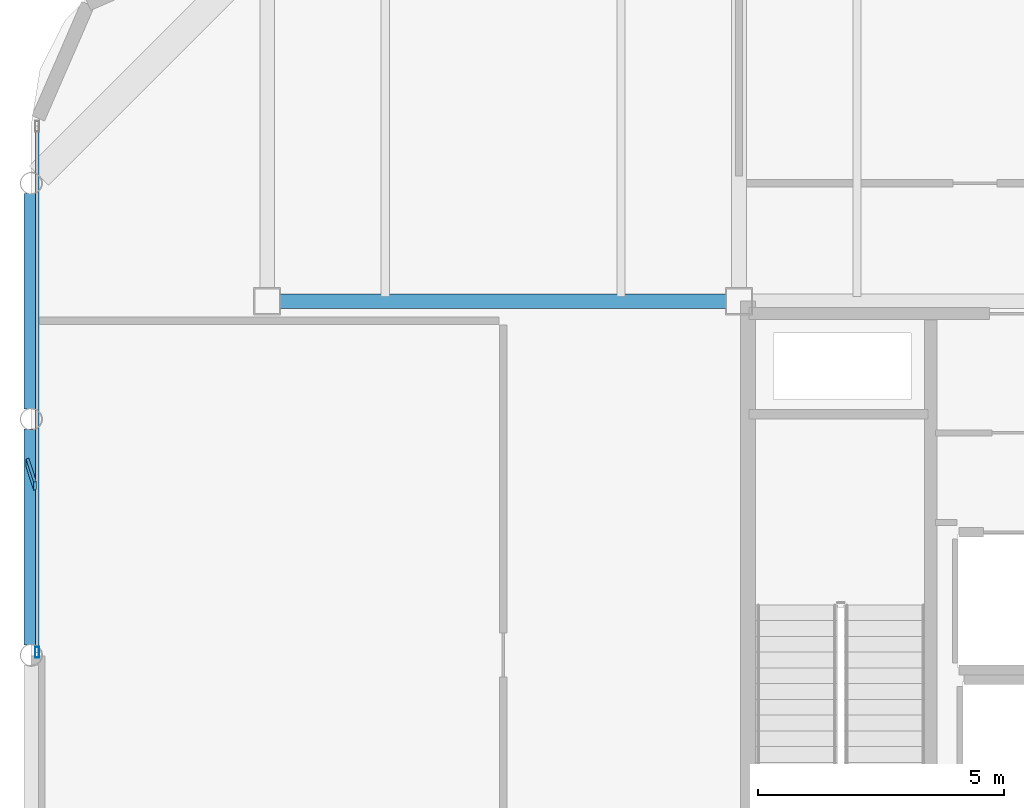
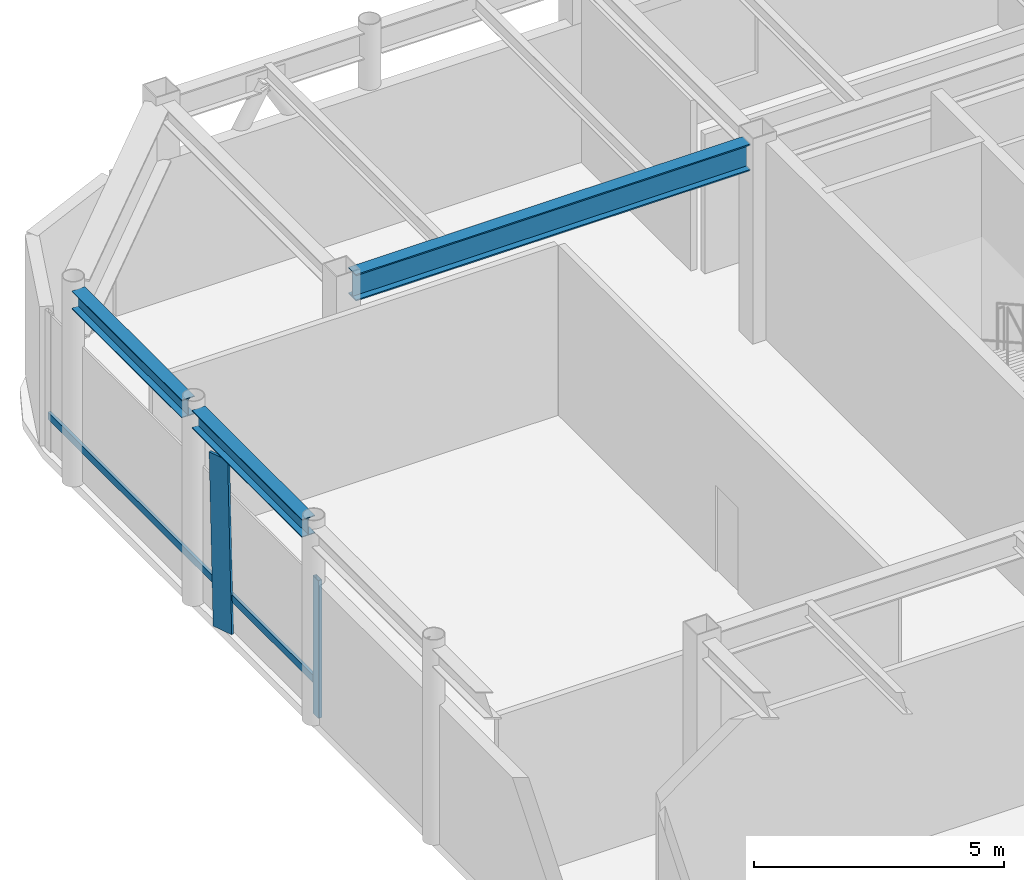
# One storey, part 7 of 21: 3 beams, 3 members, 1 element without a shape of its own.
"""IFC4 building model written with IfcOpenShell, lengths in metres."""

import ifcopenshell
import ifcopenshell.guid

model = None  # the IFC model being written
_history = None  # IfcOwnerHistory: only IFC2X3 demands one
_inside = {}  # id of a spatial element -> (the spatial element, [elements in it])
_under = {}  # id of a project, library or spatial element -> (it, [spatial elements below it])
_declared = {}  # id of a project -> (the project, [libraries it declares])
_typed = {}  # id of a type object -> (the type object, [elements of that type])
_made_of = {}  # id of a material, layer set ... -> (it, [elements and type objects made of it])


def new_model(schema):
    """Start an empty IFC model of exactly this schema.

    Asked for "IFC4X3", IfcOpenShell would pick the latest addendum, in which some entities
    have other attributes; the version numbers below select the first issue.
    IFC2X3 requires an IfcOwnerHistory on every rooted entity: one is made here for all.
    """
    global model, _history
    if schema == "IFC4X3":
        model = ifcopenshell.file(schema_version=(4, 3, 0, 0))
    else:
        model = ifcopenshell.file(schema=schema)
    _inside.clear()
    _under.clear()
    _declared.clear()
    _typed.clear()
    _made_of.clear()
    _history = None
    if model.schema == "IFC2X3":
        org = make("IfcOrganization", Name="unknown")
        user = make(
            "IfcPersonAndOrganization",
            ThePerson=make("IfcPerson", FamilyName="unknown"),
            TheOrganization=org,
        )
        app = make(
            "IfcApplication",
            ApplicationDeveloper=org,
            Version="unknown",
            ApplicationFullName="unknown",
            ApplicationIdentifier="unknown",
        )
        _history = make(
            "IfcOwnerHistory",
            OwningUser=user,
            OwningApplication=app,
            ChangeAction="ADDED",
            CreationDate=0,
        )
    return model


def make(cls, **values):
    """One entity of the class cls with the attributes given. An attribute that is None is left unset."""
    return model.create_entity(
        cls, **{name: value for name, value in values.items() if value is not None}
    )


def rooted(cls, **values):
    """An entity with a GlobalId (a new one), such as an element, a storey or a relation."""
    return make(cls, GlobalId=ifcopenshell.guid.new(), OwnerHistory=_history, **values)


def si_unit(unit_type, name, prefix=None):
    """IfcSIUnit, for example si_unit("LENGTHUNIT", "METRE", prefix="MILLI")."""
    return make("IfcSIUnit", UnitType=unit_type, Prefix=prefix, Name=name)


def assignment(units):
    """IfcUnitAssignment: the units of a project."""
    return None if units is None else make("IfcUnitAssignment", Units=units)


def point(xyz):
    """IfcCartesianPoint."""
    return None if xyz is None else make("IfcCartesianPoint", Coordinates=xyz)


def direction(xyz):
    """IfcDirection."""
    return None if xyz is None else make("IfcDirection", DirectionRatios=xyz)


def frame(location, z_axis=None, x_axis=None):
    """IfcAxis2Placement3D, a coordinate frame: its origin and axes. An axis left out is left unset."""
    return make(
        "IfcAxis2Placement3D",
        Location=point(location),
        Axis=direction(z_axis),
        RefDirection=direction(x_axis),
    )


def frame_2d(location, x_axis=None):
    """IfcAxis2Placement2D, a coordinate frame in the plane: its origin and x axis."""
    return make(
        "IfcAxis2Placement2D", Location=point(location), RefDirection=direction(x_axis)
    )


def origin():
    """The frame at (0, 0, 0) with its axes left unset."""
    return frame((0.0, 0.0, 0.0))


def origin_2d():
    """The frame at (0, 0) in the plane with its x axis left unset."""
    return frame_2d((0.0, 0.0))


def place(relative_to, where):
    """IfcLocalPlacement: puts the frame where relative to a parent placement (None: the world)."""
    return make(
        "IfcLocalPlacement", PlacementRelTo=relative_to, RelativePlacement=where
    )


def context(
    kind, dimensions, precision=None, world=None, true_north=None, identifier=None
):
    """IfcGeometricRepresentationContext, for example the 3D "Model" context."""
    return make(
        "IfcGeometricRepresentationContext",
        ContextIdentifier=identifier,
        ContextType=kind,
        CoordinateSpaceDimension=dimensions,
        Precision=precision,
        WorldCoordinateSystem=world,
        TrueNorth=true_north,
    )


def subcontext(parent, identifier, kind, view, scale=None):
    """IfcGeometricRepresentationSubContext, for example "Body" below "Model"."""
    return make(
        "IfcGeometricRepresentationSubContext",
        ContextIdentifier=identifier,
        ContextType=kind,
        ParentContext=parent,
        TargetScale=scale,
        TargetView=view,
    )


def project(units=None, contexts=None):
    """IfcProject with its units and contexts."""
    return rooted(
        "IfcProject",
        Name="project",
        RepresentationContexts=contexts,
        UnitsInContext=assignment(units),
    )


def spatial(cls, under=None, at=None, **own):
    """A site, building, storey or space (cls), placed at a placement, below another one or the project."""
    s = rooted(cls, ObjectPlacement=at, **own)
    if under is not None:
        _under.setdefault(under.id(), (under, []))[1].append(s)
    return s


def profile(cls, at=None, kind="AREA", **sizes):
    """A parametric profile (cls). Its sizes go by their IFC names, for example OverallWidth=200.0."""
    return make(cls, ProfileType=kind, Position=at, **sizes)


def rectangle(**sizes):
    """IfcRectangleProfileDef."""
    return profile("IfcRectangleProfileDef", **sizes)


def hollow_rectangle(**sizes):
    """IfcRectangleHollowProfileDef."""
    return profile("IfcRectangleHollowProfileDef", **sizes)


def i_section(**sizes):
    """IfcIShapeProfileDef."""
    return profile("IfcIShapeProfileDef", **sizes)


def extrude(swept, where, along, depth):
    """IfcExtrudedAreaSolid: the profile swept, set in the frame where, extruded along a direction by depth."""
    return make(
        "IfcExtrudedAreaSolid",
        SweptArea=swept,
        Position=where,
        ExtrudedDirection=direction(along),
        Depth=depth,
    )


def shape(context_of_items, identifier, shape_type, items):
    """IfcShapeRepresentation: the items that make up one representation, for example the "Body"."""
    return make(
        "IfcShapeRepresentation",
        ContextOfItems=context_of_items,
        RepresentationIdentifier=identifier,
        RepresentationType=shape_type,
        Items=items,
    )


def material(Name=None, Category=None):
    """IfcMaterial."""
    return make("IfcMaterial", Name=Name, Category=Category)


def layer(
    of_material, thickness, ventilated=None, Name=None, Category=None, Priority=None
):
    """IfcMaterialLayer: one layer of a wall or slab, of a material (None: an air gap)."""
    return make(
        "IfcMaterialLayer",
        Material=of_material,
        LayerThickness=thickness,
        IsVentilated=ventilated,
        Name=Name,
        Category=Category,
        Priority=Priority,
    )


def layer_set(layers, Name=None):
    """IfcMaterialLayerSet."""
    return make("IfcMaterialLayerSet", MaterialLayers=layers, LayerSetName=Name)


def material_profile(
    of_material, cross_section, Name=None, Category=None, Priority=None
):
    """IfcMaterialProfile: a cross section and its material."""
    return make(
        "IfcMaterialProfile",
        Name=Name,
        Material=of_material,
        Profile=cross_section,
        Priority=Priority,
        Category=Category,
    )


def profile_set(profiles, Name=None, composite=None):
    """IfcMaterialProfileSet."""
    return make(
        "IfcMaterialProfileSet",
        Name=Name,
        MaterialProfiles=profiles,
        CompositeProfile=composite,
    )


def made_of(thing, what):
    """Note that an element or type object is made of a material, layer set ...; save() writes the relation."""
    if what is not None:
        _made_of.setdefault(what.id(), (what, []))[1].append(thing)
    return thing


def type_object(cls, material=None, **own):
    """A type object (cls), such as IfcWallType, which elements share."""
    return made_of(rooted(cls, **own), material)


def element(
    cls,
    number,
    at=None,
    inside=None,
    cuts=None,
    type_object=None,
    material=None,
    context=None,
    identifier="Body",
    shape_type=None,
    held_by="IfcProductDefinitionShape",
    body=None,
    shapes=None,
    **own,
):
    """One element of the class cls, such as IfcWall. Its Tag is "e" and its number.

    at: its placement. inside: the storey or other place that contains it. cuts: it is an
    opening in that element (IfcRelVoidsElement). A single representation is given by context,
    identifier, shape_type and body (its items); several are given by shapes. held_by: the class
    of the entity that holds the representations. save() writes the other relations.
    """
    e = rooted(cls, Tag="e%d" % number, ObjectPlacement=at, **own)
    if body is not None:
        shapes = [shape(context, identifier, shape_type, body)]
    if shapes is not None:
        e.Representation = make(held_by, Representations=shapes)
    if inside is not None:
        _inside.setdefault(inside.id(), (inside, []))[1].append(e)
    if cuts is not None:
        rooted(
            "IfcRelVoidsElement", RelatingBuildingElement=cuts, RelatedOpeningElement=e
        )
    if type_object is not None:
        _typed.setdefault(type_object.id(), (type_object, []))[1].append(e)
    return made_of(e, material)


def aggregate(whole, parts):
    """IfcRelAggregates: a whole, such as a stair, and the parts it consists of."""
    return rooted("IfcRelAggregates", RelatingObject=whole, RelatedObjects=parts)


def save(model, path):
    """Write the relations noted so far, then the file.

    IfcRelAggregates (storeys below a building ...), IfcRelContainedInSpatialStructure (elements
    in a storey), IfcRelDefinesByType, IfcRelAssociatesMaterial and IfcRelDeclares: one each for
    every whole, place, type object, material and project.
    """
    for whole, parts in _under.values():
        aggregate(whole, parts)
    for where, things in _inside.values():
        rooted(
            "IfcRelContainedInSpatialStructure",
            RelatedElements=things,
            RelatingStructure=where,
        )
    for kind, things in _typed.values():
        rooted("IfcRelDefinesByType", RelatedObjects=things, RelatingType=kind)
    for what, things in _made_of.values():
        rooted("IfcRelAssociatesMaterial", RelatedObjects=things, RelatingMaterial=what)
    for by, libraries in _declared.values():
        rooted("IfcRelDeclares", RelatingContext=by, RelatedDefinitions=libraries)
    model.write(path)


model = new_model("IFC4")

# Units and contexts
model_context = context("Model", 3, precision=1e-05, world=origin(), true_north=direction((0.0, 1.0)))
body_context = subcontext(model_context, "Body", "Model", "MODEL_VIEW")
ifc_project = project(units=[si_unit("LENGTHUNIT", "METRE"), si_unit("AREAUNIT", "SQUARE_METRE"), si_unit("VOLUMEUNIT", "CUBIC_METRE"), si_unit("PLANEANGLEUNIT", "RADIAN"), si_unit("MASSUNIT", "GRAM", prefix="KILO")], contexts=[model_context])

# Site, building, storey
site_placement = place(None, origin())
site = spatial("IfcSite", under=ifc_project, at=site_placement, CompositionType="ELEMENT")
building_placement = place(site_placement, origin())
building = spatial("IfcBuilding", under=site, at=building_placement, Name="Kallvorn Hotel Tower", CompositionType="ELEMENT")
storey_placement = place(building_placement, frame((0.0, 0.0, 290.60009765625)))
storey = spatial("IfcBuildingStorey", under=building, at=storey_placement, Name="L72", CompositionType="ELEMENT", Elevation=290.60009765625)

# Beams
ifc_material_1 = material(Name="Structural steel S355JR", Category="steel")
ifc_material_profile_1 = material_profile(ifc_material_1, i_section(OverallWidth=0.300048828125, OverallDepth=0.43994140625, WebThickness=0.011474609375, FlangeThickness=0.02099609375, at=origin_2d()), Name="HE 450 A")
ifc_profile_set_1 = profile_set([ifc_material_profile_1], Name="Structural steel S355JR")
beam_type_1 = type_object("IfcBeamType", Name="BM_HE450A", PredefinedType="BEAM", material=ifc_profile_set_1)
beam_1_placement = place(storey_placement, frame((-28.800048828125, 0.20361328125, 4.579833984375), z_axis=(0.0, 1.0, 0.0), x_axis=(-1.0, 0.0, 0.0)))
element("IfcBeam", 1, at=beam_1_placement, inside=storey, type_object=beam_type_1, Name="L73 Primary Y-Girder 29", PredefinedType="BEAM", context=body_context, shape_type="SweptSolid", body=[
    extrude(i_section(OverallWidth=0.300048828125, OverallDepth=0.43994140625, WebThickness=0.011474609375, FlangeThickness=0.02099609375, at=origin_2d()), origin(), (0.0, 0.0, 1.0), 4.392822265625),
])
beam_2_placement = place(storey_placement, frame((-28.800048828125, 5.00341796875, 4.579833984375), z_axis=(0.0, 1.0, 0.0), x_axis=(-1.0, 0.0, 0.0)))
element("IfcBeam", 2, at=beam_2_placement, inside=storey, type_object=beam_type_1, Name="L73 Primary Y-Girder 30", PredefinedType="BEAM", context=body_context, shape_type="SweptSolid", body=[
    extrude(i_section(OverallWidth=0.300048828125, OverallDepth=0.43994140625, WebThickness=0.011474609375, FlangeThickness=0.02099609375, at=origin_2d()), origin(), (0.0, 0.0, 1.0), 4.39306640625),
])
ifc_material_2 = material(Name="Structural steel S355JR", Category="steel")
ifc_material_profile_2 = material_profile(ifc_material_2, i_section(OverallWidth=0.300048828125, OverallDepth=0.64990234375, WebThickness=0.01611328125, FlangeThickness=0.031005859375, at=origin_2d()), Name="HE 650 B")
ifc_profile_set_2 = profile_set([ifc_material_profile_2], Name="Structural steel S355JR")
beam_type_2 = type_object("IfcBeamType", Name="BM_HE650B", PredefinedType="BEAM", material=ifc_profile_set_2)
beam_3_placement = place(storey_placement, frame((-23.75, 7.199951171875, 4.474853515625), z_axis=(1.0, 0.0, 0.0), x_axis=(0.0, 1.0, 0.0)))
element("IfcBeam", 3, at=beam_3_placement, inside=storey, type_object=beam_type_2, Name="L73 Primary X-Girder 11", PredefinedType="BEAM", context=body_context, shape_type="SweptSolid", body=[
    extrude(i_section(OverallWidth=0.300048828125, OverallDepth=0.64990234375, WebThickness=0.01611328125, FlangeThickness=0.031005859375, at=origin_2d()), origin(), (0.0, 0.0, 1.0), 9.10009765625),
])

# Curtain wall, members
ifc_material_3 = material(Name="Thermally broken black-anodised aluminium AA 6063-T6", Category="aluminium")
ifc_layer = layer(ifc_material_3, 0.25)
ifc_layer_set = layer_set([ifc_layer], Name="CW_SYS_6_SUMMIT_OBS")
curtain_wall_type = type_object("IfcCurtainWallType", Name="CW_SYS_6_SUMMIT_OBS", PredefinedType="USERDEFINED", material=ifc_layer_set)
curtain_wall_placement = place(storey_placement, origin())
curtain_wall = element("IfcCurtainWall", 4, at=curtain_wall_placement, inside=storey, type_object=curtain_wall_type, Name="L72 Dark-Glass Curtain Wall CW-L72-WN", ObjectType="UNITISED CURTAIN WALL", PredefinedType="USERDEFINED")
ifc_material_4 = material(Name="Thermally broken black-anodised aluminium AA 6063-T6", Category="aluminium")
ifc_material_profile_3 = material_profile(ifc_material_4, hollow_rectangle(XDim=0.080078125, YDim=0.219970703125, WallThickness=0.0048828125, at=origin_2d()), Name="MUL 220x80")
ifc_profile_set_3 = profile_set([ifc_material_profile_3], Name="Thermally broken black-anodised aluminium AA 6063-T6")
member_type_1 = type_object("IfcMemberType", Name="CW_MULLION_220x80", PredefinedType="MULLION", material=ifc_profile_set_3)
member_1_placement = place(storey_placement, frame((-28.679931640625, 0.06005859375, 0.02001953125), z_axis=(0.0, 0.0, 1.0), x_axis=(1.0, 0.0, 0.0)))
member_1 = element("IfcMember", 5, at=member_1_placement, type_object=member_type_1, Name="CW-L72-WN Mullion 00", PredefinedType="MULLION", context=body_context, shape_type="SweptSolid", body=[
    extrude(hollow_rectangle(XDim=0.080078125, YDim=0.219970703125, WallThickness=0.0048828125, at=origin_2d()), origin(), (0.0, 0.0, 1.0), 3.35986328125),
])
ifc_material_5 = material(Name="Thermally broken black-anodised aluminium AA 6063-T6", Category="aluminium")
ifc_material_profile_4 = material_profile(ifc_material_5, hollow_rectangle(XDim=0.070068359375, YDim=0.179931640625, WallThickness=0.00390625, at=origin_2d()), Name="TRN 180x70")
ifc_profile_set_4 = profile_set([ifc_material_profile_4], Name="Thermally broken black-anodised aluminium AA 6063-T6")
member_type_2 = type_object("IfcMemberType", Name="CW_TRANSOM_180x70", PredefinedType="USERDEFINED", material=ifc_profile_set_4)
member_2_placement = place(storey_placement, frame((-28.679931640625, 0.06005859375, 0.849853515625), z_axis=(0.0, 1.0, 0.0), x_axis=(-1.0, 0.0, 0.0)))
member_2 = element("IfcMember", 6, at=member_2_placement, type_object=member_type_2, Name="CW-L72-WN Transom 00M", ObjectType="TRANSOM", PredefinedType="USERDEFINED", context=body_context, shape_type="SweptSolid", body=[
    extrude(hollow_rectangle(XDim=0.070068359375, YDim=0.179931640625, WallThickness=0.00390625, at=origin_2d()), origin(), (0.0, 0.0, 1.0), 10.699951171875),
])
aggregate(curtain_wall, [member_1, member_2])

# Member
ifc_material_6 = material(Name="Thermally broken black-anodised aluminium AA 6063-T6", Category="aluminium")
ifc_material_profile_5 = material_profile(ifc_material_6, rectangle(XDim=0.06005859375, YDim=0.5, at=origin_2d()), Name="FIN 500x60")
ifc_profile_set_5 = profile_set([ifc_material_profile_5], Name="Thermally broken black-anodised aluminium AA 6063-T6")
member_type_3 = type_object("IfcMemberType", Name="MBR_SUNSHADE_FIN", PredefinedType="USERDEFINED", material=ifc_profile_set_5)
member_3_placement = place(storey_placement, frame((-28.800048828125, 3.60009765625, 0.0), z_axis=(0.0, 0.038916255962, 0.999242475589), x_axis=(-0.951056516295, -0.308782906458, 0.01202578445)))
element("IfcMember", 7, at=member_3_placement, inside=storey, type_object=member_type_3, Name="L72 Angled Vertical Sunshade Fin W1", ObjectType="SUNSHADE FIN", PredefinedType="USERDEFINED", context=body_context, shape_type="SweptSolid", body=[
    extrude(rectangle(XDim=0.06005859375, YDim=0.5, at=origin_2d()), origin(), (0.0, 0.0, 1.0), 4.153076171875),
])

save(model, "model.ifc")
